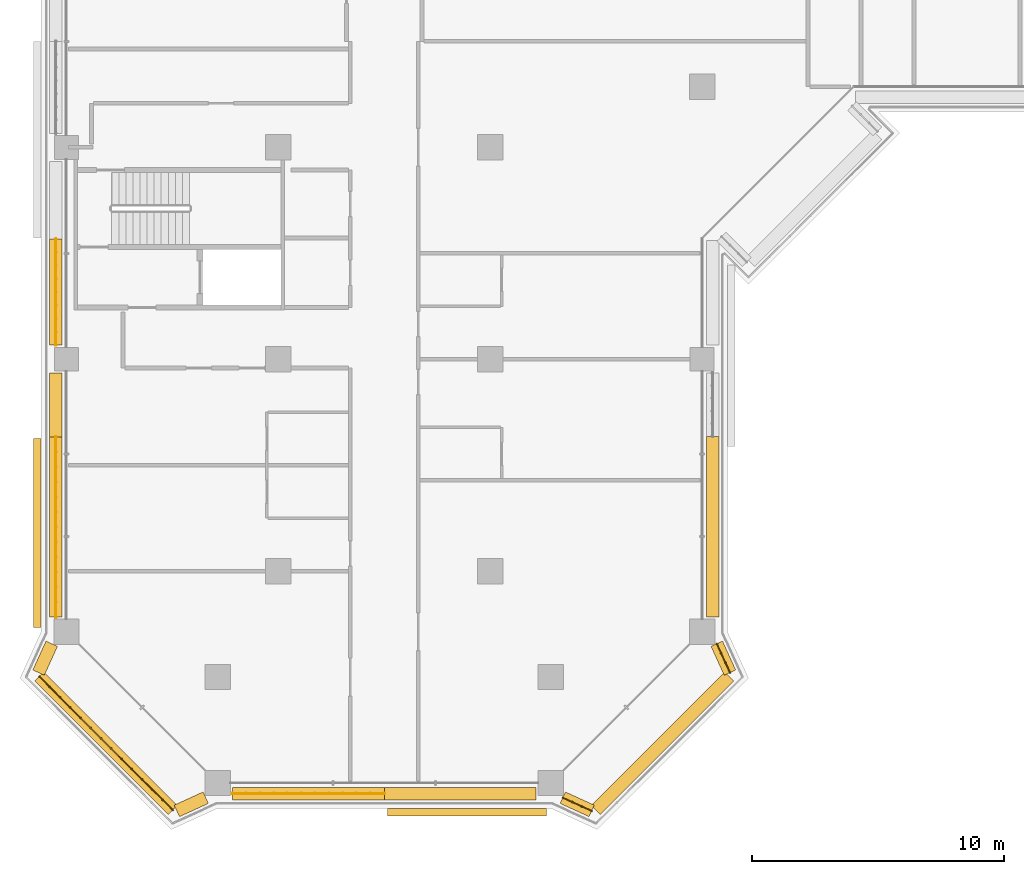
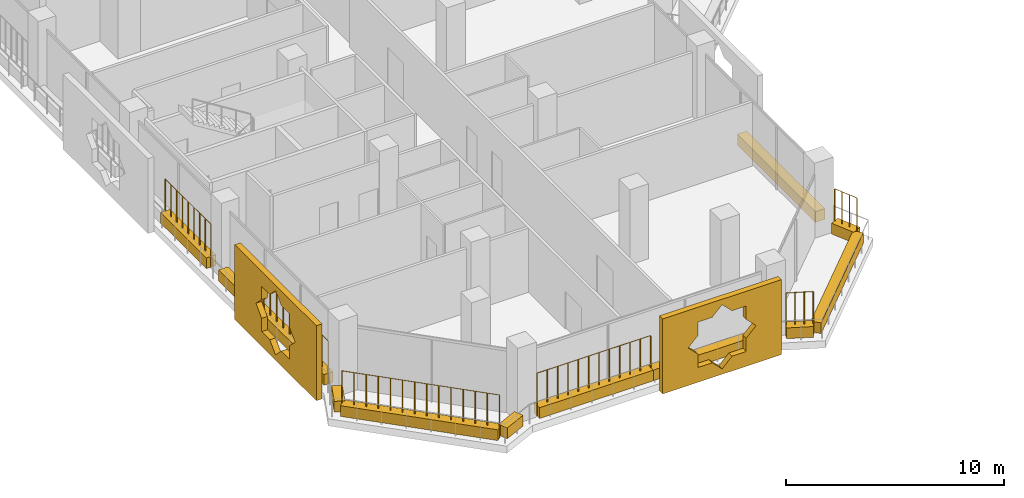
# One storey, part 17 of 24: 14 coverings, 6 railings.
"""IFC4 building model written with IfcOpenShell, lengths in metres."""

from ifc_helpers import new_model, si_unit, direction, frame, origin, origin_2d, place, context, subcontext, project, spatial, polyline, rectangle, circle, outline, extrude, material, material_profile, profile_set, type_object, element, save


model = new_model("IFC4")

# Units and contexts
model_context = context("Model", 3, precision=1e-05, world=origin(), true_north=direction((0.0, 1.0)))
body_context = subcontext(model_context, "Body", "Model", "MODEL_VIEW")
ifc_project = project(units=[si_unit("LENGTHUNIT", "METRE"), si_unit("AREAUNIT", "SQUARE_METRE"), si_unit("VOLUMEUNIT", "CUBIC_METRE"), si_unit("PLANEANGLEUNIT", "RADIAN"), si_unit("MASSUNIT", "GRAM", prefix="KILO")], contexts=[model_context])

# Site, building, storey
site_placement = place(None, origin())
site = spatial("IfcSite", under=ifc_project, at=site_placement, CompositionType="ELEMENT")
building_placement = place(site_placement, origin())
building = spatial("IfcBuilding", under=site, at=building_placement, Name="Kawkab Arch Medical Tower", CompositionType="ELEMENT")
storey_placement = place(building_placement, frame((0.0, 0.0, 162.60009765625)))
storey = spatial("IfcBuildingStorey", under=building, at=storey_placement, Name="L37", CompositionType="ELEMENT", Elevation=162.60009765625)

# Coverings
ifc_material_1 = material(Name="Bronze anodised aluminium mashrabiya panel, eight-point star pattern", Category="aluminium")
ifc_material_profile_1 = material_profile(ifc_material_1, outline(polyline([(-3.14990234375, -2.10009765625), (3.14990234375, -2.10009765625), (3.14990234375, 2.10009765625), (-3.14990234375, 2.10009765625), (-3.14990234375, -2.10009765625)]), holes=[polyline([(1.800048828125, 0.0), (1.272705078125, 0.527099609375), (1.272705078125, 1.272705078125), (0.527099609375, 1.272705078125), (0.0, 1.800048828125), (-0.527099609375, 1.272705078125), (-1.272705078125, 1.272705078125), (-1.272705078125, 0.527099609375), (-1.800048828125, 0.0), (-1.272705078125, -0.527099609375), (-1.272705078125, -1.272705078125), (-0.527099609375, -1.272705078125), (0.0, -1.800048828125), (0.527099609375, -1.272705078125), (1.272705078125, -1.272705078125), (1.272705078125, -0.527099609375), (1.800048828125, 0.0)])]), Name="Mashrabiya panel 6300x4200")
ifc_profile_set_1 = profile_set([ifc_material_profile_1], Name="Bronze anodised aluminium mashrabiya panel, eight-point star pattern")
covering_type_1 = type_object("IfcCoveringType", Name="Mashrabiya panel 6300 x 4200", PredefinedType="USERDEFINED", material=ifc_profile_set_1)
covering_1_placement = place(storey_placement, frame((15.881103515625, -59.800048828125, 1.699951171875), z_axis=(0.0, -1.0, 0.0), x_axis=(1.0, 0.0, 0.0)))
element("IfcCovering", 1, at=covering_1_placement, inside=storey, type_object=covering_type_1, Name="Mashrabiya panel L37.LOG-01-02.1", ObjectType="SCREEN", PredefinedType="USERDEFINED", context=body_context, shape_type="SweptSolid", body=[
    extrude(outline(polyline([(-3.14990234375, -2.10009765625), (3.14990234375, -2.10009765625), (3.14990234375, 2.10009765625), (-3.14990234375, 2.10009765625), (-3.14990234375, -2.10009765625)]), holes=[polyline([(1.800048828125, 0.0), (1.272705078125, 0.527099609375), (1.272705078125, 1.272705078125), (0.527099609375, 1.272705078125), (0.0, 1.800048828125), (-0.527099609375, 1.272705078125), (-1.272705078125, 1.272705078125), (-1.272705078125, 0.527099609375), (-1.800048828125, 0.0), (-1.272705078125, -0.527099609375), (-1.272705078125, -1.272705078125), (-0.527099609375, -1.272705078125), (0.0, -1.800048828125), (0.527099609375, -1.272705078125), (1.272705078125, -1.272705078125), (1.272705078125, -0.527099609375), (1.800048828125, 0.0)])]), origin(), (0.0, 0.0, 1.0), 0.300048828125),
])
ifc_material_2 = material(Name="Bronze anodised aluminium mashrabiya panel, eight-point star pattern", Category="aluminium")
ifc_material_profile_2 = material_profile(ifc_material_2, outline(polyline([(-3.75, -2.10009765625), (3.75, -2.10009765625), (3.75, 2.10009765625), (-3.75, 2.10009765625), (-3.75, -2.10009765625)]), holes=[polyline([(1.800048828125, 0.0), (1.272705078125, 0.527099609375), (1.272705078125, 1.272705078125), (0.527099609375, 1.272705078125), (0.0, 1.800048828125), (-0.527099609375, 1.272705078125), (-1.272705078125, 1.272705078125), (-1.272705078125, 0.527099609375), (-1.800048828125, 0.0), (-1.272705078125, -0.527099609375), (-1.272705078125, -1.272705078125), (-0.527099609375, -1.272705078125), (0.0, -1.800048828125), (0.527099609375, -1.272705078125), (1.272705078125, -1.272705078125), (1.272705078125, -0.527099609375), (1.800048828125, 0.0)])]), Name="Mashrabiya panel 7500x4200")
ifc_profile_set_2 = profile_set([ifc_material_profile_2], Name="Bronze anodised aluminium mashrabiya panel, eight-point star pattern")
covering_type_2 = type_object("IfcCoveringType", Name="Mashrabiya panel 7500 x 4200", PredefinedType="USERDEFINED", material=ifc_profile_set_2)
covering_2_placement = place(storey_placement, frame((-1.0, -48.8818359375, 1.699951171875), z_axis=(-1.0, 0.0, 0.0), x_axis=(0.0, -1.0, 0.0)))
element("IfcCovering", 2, at=covering_2_placement, inside=storey, type_object=covering_type_2, Name="Mashrabiya panel L37.LOG-01-02.2", ObjectType="SCREEN", PredefinedType="USERDEFINED", context=body_context, shape_type="SweptSolid", body=[
    extrude(outline(polyline([(-3.75, -2.10009765625), (3.75, -2.10009765625), (3.75, 2.10009765625), (-3.75, 2.10009765625), (-3.75, -2.10009765625)]), holes=[polyline([(1.800048828125, 0.0), (1.272705078125, 0.527099609375), (1.272705078125, 1.272705078125), (0.527099609375, 1.272705078125), (0.0, 1.800048828125), (-0.527099609375, 1.272705078125), (-1.272705078125, 1.272705078125), (-1.272705078125, 0.527099609375), (-1.800048828125, 0.0), (-1.272705078125, -0.527099609375), (-1.272705078125, -1.272705078125), (-0.527099609375, -1.272705078125), (0.0, -1.800048828125), (0.527099609375, -1.272705078125), (1.272705078125, -1.272705078125), (1.272705078125, -0.527099609375), (1.800048828125, 0.0)])]), origin(), (0.0, 0.0, 1.0), 0.300048828125),
])
ifc_material_3 = material(Name="Planting soil in a precast trough", Category="concrete")
ifc_material_profile_3 = material_profile(ifc_material_3, rectangle(XDim=0.5, YDim=0.60009765625, at=origin_2d()), Name="Trough 500x600")
ifc_profile_set_3 = profile_set([ifc_material_profile_3], Name="Planting soil in a precast trough")
covering_type_3 = type_object("IfcCoveringType", Name="Planter trough 500 x 600", PredefinedType="USERDEFINED", material=ifc_profile_set_3)
covering_3_placement = place(storey_placement, frame((20.821044921875, -59.902099609375, 0.2998046875), z_axis=(-0.909707135283, 0.415250440113, 0.0), x_axis=(-0.415250440113, -0.909707135283, 0.0)))
element("IfcCovering", 3, at=covering_3_placement, inside=storey, type_object=covering_type_3, Name="Planter L37.LOG-01-02.1", ObjectType="PLANTER", PredefinedType="USERDEFINED", context=body_context, shape_type="SweptSolid", body=[
    extrude(rectangle(XDim=0.5, YDim=0.60009765625, at=origin_2d()), origin(), (0.0, 0.0, 1.0), 1.257568359375),
])
for number, where, z_axis, x_axis, name in (
    (4, (18.6201171875, -59.219970703125, 0.2998046875), (-1.0, 0.0, 0.0), (0.0, -1.0, 0.0), "Planter L37.LOG-01-02.2"),
    (5, (12.60009765625, -59.219970703125, 0.2998046875), (-1.0, 0.0, 0.0), (0.0, -1.0, 0.0), "Planter L37.LOG-01-02.3"),
):
    element("IfcCovering", number, at=place(storey_placement, frame(where, z_axis=z_axis, x_axis=x_axis)), inside=storey, type_object=covering_type_3, Name=name, ObjectType="PLANTER", PredefinedType="USERDEFINED", context=body_context, shape_type="SweptSolid", body=[
        extrude(rectangle(XDim=0.5, YDim=0.60009765625, at=origin_2d()), origin(), (0.0, 0.0, 1.0), 6.02001953125),
    ])
covering_4_placement = place(storey_placement, frame((5.52294921875, -59.3798828125, 0.2998046875), z_axis=(-0.909707135283, -0.415250440113, 0.0), x_axis=(0.415250440113, -0.909707135283, 0.0)))
element("IfcCovering", 6, at=covering_4_placement, inside=storey, type_object=covering_type_3, Name="Planter L37.LOG-01-02.4", ObjectType="PLANTER", PredefinedType="USERDEFINED", context=body_context, shape_type="SweptSolid", body=[
    extrude(rectangle(XDim=0.5, YDim=0.60009765625, at=origin_2d()), origin(), (0.0, 0.0, 1.0), 1.257568359375),
])
covering_5_placement = place(storey_placement, frame((4.217041015625, -59.873046875, 0.2998046875), z_axis=(-0.707106781187, 0.707106781187, 0.0), x_axis=(-0.707106781187, -0.707106781187, 0.0)))
element("IfcCovering", 7, at=covering_5_placement, inside=storey, type_object=covering_type_3, Name="Planter L37.LOG-01-02.5", ObjectType="PLANTER", PredefinedType="USERDEFINED", context=body_context, shape_type="SweptSolid", body=[
    extrude(rectangle(XDim=0.5, YDim=0.60009765625, at=origin_2d()), origin(), (0.0, 0.0, 1.0), 7.481201171875),
])
covering_6_placement = place(storey_placement, frame((-1.10205078125, -54.4208984375, 0.2998046875), z_axis=(0.415163092626, 0.909747001381, 0.0), x_axis=(-0.909747001381, 0.415163092626, 0.0)))
element("IfcCovering", 8, at=covering_6_placement, inside=storey, type_object=covering_type_3, Name="Planter L37.LOG-01-02.6", ObjectType="PLANTER", PredefinedType="USERDEFINED", context=body_context, shape_type="SweptSolid", body=[
    extrude(rectangle(XDim=0.5, YDim=0.60009765625, at=origin_2d()), origin(), (0.0, 0.0, 1.0), 1.25732421875),
])
covering_7_placement = place(storey_placement, frame((-0.419921875, -52.219970703125, 0.2998046875), z_axis=(0.0, 1.0, 0.0), x_axis=(-1.0, 0.0, 0.0)))
element("IfcCovering", 9, at=covering_7_placement, inside=storey, type_object=covering_type_3, Name="Planter L37.LOG-01-02.7", ObjectType="PLANTER", PredefinedType="USERDEFINED", context=body_context, shape_type="SweptSolid", body=[
    extrude(rectangle(XDim=0.5, YDim=0.60009765625, at=origin_2d()), origin(), (0.0, 0.0, 1.0), 7.135986328125),
])
covering_8_placement = place(storey_placement, frame((-0.419921875, -45.083984375, 0.2998046875), z_axis=(0.0, 1.0, 0.0), x_axis=(-1.0, 0.0, 0.0)))
element("IfcCovering", 10, at=covering_8_placement, inside=storey, type_object=covering_type_3, Name="Planter L37.LOG-01-02.8", ObjectType="PLANTER", PredefinedType="USERDEFINED", context=body_context, shape_type="SweptSolid", body=[
    extrude(rectangle(XDim=0.5, YDim=0.60009765625, at=origin_2d()), origin(), (0.0, 0.0, 1.0), 2.529052734375),
])
covering_9_placement = place(storey_placement, frame((-0.419921875, -41.445068359375, 0.2998046875), z_axis=(0.0, 1.0, 0.0), x_axis=(-1.0, 0.0, 0.0)))
element("IfcCovering", 11, at=covering_9_placement, inside=storey, type_object=covering_type_3, Name="Planter L37.LOG-01-02.9", ObjectType="PLANTER", PredefinedType="USERDEFINED", context=body_context, shape_type="SweptSolid", body=[
    extrude(rectangle(XDim=0.5, YDim=0.60009765625, at=origin_2d()), origin(), (0.0, 0.0, 1.0), 4.203125),
])
covering_10_placement = place(storey_placement, frame((25.6201171875, -45.054931640625, 0.2998046875), z_axis=(0.0, -1.0, 0.0), x_axis=(1.0, 0.0, 0.0)))
element("IfcCovering", 12, at=covering_10_placement, inside=storey, type_object=covering_type_3, Name="Planter L37.LOG-01-02.44", ObjectType="PLANTER", PredefinedType="USERDEFINED", context=body_context, shape_type="SweptSolid", body=[
    extrude(rectangle(XDim=0.5, YDim=0.60009765625, at=origin_2d()), origin(), (0.0, 0.0, 1.0), 7.1650390625),
])
covering_11_placement = place(storey_placement, frame((25.780029296875, -53.277099609375, 0.2998046875), z_axis=(0.415163092626, -0.909747001381, 0.0), x_axis=(0.909747001381, 0.415163092626, 0.0)))
element("IfcCovering", 13, at=covering_11_placement, inside=storey, type_object=covering_type_3, Name="Planter L37.LOG-01-02.45", ObjectType="PLANTER", PredefinedType="USERDEFINED", context=body_context, shape_type="SweptSolid", body=[
    extrude(rectangle(XDim=0.5, YDim=0.60009765625, at=origin_2d()), origin(), (0.0, 0.0, 1.0), 1.25732421875),
])
covering_12_placement = place(storey_placement, frame((26.27294921875, -54.5830078125, 0.2998046875), z_axis=(-0.707106781187, -0.707106781187, 0.0), x_axis=(0.707106781187, -0.707106781187, 0.0)))
element("IfcCovering", 14, at=covering_12_placement, inside=storey, type_object=covering_type_3, Name="Planter L37.LOG-01-02.46", ObjectType="PLANTER", PredefinedType="USERDEFINED", context=body_context, shape_type="SweptSolid", body=[
    extrude(rectangle(XDim=0.5, YDim=0.60009765625, at=origin_2d()), origin(), (0.0, 0.0, 1.0), 7.481201171875),
])

# Railings
ifc_material_4 = material(Name="Bronze anodised aluminium trellis for climbing plants", Category="aluminium")
railing_type = type_object("IfcRailingType", Name="Planting trellis 2400", PredefinedType="USERDEFINED", material=ifc_material_4)
railing_1_placement = place(storey_placement, frame((20.821044921875, -59.902099609375, 0.0)))
element("IfcRailing", 15, at=railing_1_placement, inside=storey, type_object=railing_type, Name="Planting trellis L37.LOG-01-02.1", ObjectType="TRELLIS", PredefinedType="USERDEFINED", context=body_context, shape_type="SweptSolid", body=[
    extrude(circle(Radius=0.01513671875, at=origin_2d()), frame((0.0, 0.0, 2.384765625), z_axis=(-0.909707135283, 0.415250440113, 0.0), x_axis=(-0.415250440113, -0.909707135283, 0.0)), (0.0, 0.0, 1.0), 1.257568359375),
    extrude(circle(Radius=0.030029296875, at=origin_2d()), origin(), (0.0, 0.0, 1.0), 2.369873046875),
    extrude(circle(Radius=0.030029296875, at=origin_2d()), frame((-0.38134765625, 0.174072265625, 0.0)), (0.0, 0.0, 1.0), 2.369873046875),
    extrude(circle(Radius=0.030029296875, at=origin_2d()), frame((-0.7626953125, 0.34814453125, 0.0)), (0.0, 0.0, 1.0), 2.369873046875),
    extrude(circle(Radius=0.030029296875, at=origin_2d()), frame((-1.14404296875, 0.522216796875, 0.0)), (0.0, 0.0, 1.0), 2.369873046875),
])
railing_2_placement = place(storey_placement, frame((12.60009765625, -59.219970703125, 0.0)))
element("IfcRailing", 16, at=railing_2_placement, inside=storey, type_object=railing_type, Name="Planting trellis L37.LOG-01-02.3", ObjectType="TRELLIS", PredefinedType="USERDEFINED", context=body_context, shape_type="SweptSolid", body=[
    extrude(circle(Radius=0.01513671875, at=origin_2d()), frame((0.0, 0.0, 2.384765625), z_axis=(-1.0, 0.0, 0.0), x_axis=(0.0, -1.0, 0.0)), (0.0, 0.0, 1.0), 6.02001953125),
    extrude(circle(Radius=0.030029296875, at=origin_2d()), origin(), (0.0, 0.0, 1.0), 2.369873046875),
    extrude(circle(Radius=0.030029296875, at=origin_2d()), frame((-0.54736328125, 0.0, 0.0)), (0.0, 0.0, 1.0), 2.369873046875),
    extrude(circle(Radius=0.030029296875, at=origin_2d()), frame((-1.094482421875, 0.0, 0.0)), (0.0, 0.0, 1.0), 2.369873046875),
    extrude(circle(Radius=0.030029296875, at=origin_2d()), frame((-1.641845703125, 0.0, 0.0)), (0.0, 0.0, 1.0), 2.369873046875),
    extrude(circle(Radius=0.030029296875, at=origin_2d()), frame((-2.189208984375, 0.0, 0.0)), (0.0, 0.0, 1.0), 2.369873046875),
    extrude(circle(Radius=0.030029296875, at=origin_2d()), frame((-2.736328125, 0.0, 0.0)), (0.0, 0.0, 1.0), 2.369873046875),
    extrude(circle(Radius=0.030029296875, at=origin_2d()), frame((-3.28369140625, 0.0, 0.0)), (0.0, 0.0, 1.0), 2.369873046875),
    extrude(circle(Radius=0.030029296875, at=origin_2d()), frame((-3.830810546875, 0.0, 0.0)), (0.0, 0.0, 1.0), 2.369873046875),
    extrude(circle(Radius=0.030029296875, at=origin_2d()), frame((-4.378173828125, 0.0, 0.0)), (0.0, 0.0, 1.0), 2.369873046875),
    extrude(circle(Radius=0.030029296875, at=origin_2d()), frame((-4.925537109375, 0.0, 0.0)), (0.0, 0.0, 1.0), 2.369873046875),
    extrude(circle(Radius=0.030029296875, at=origin_2d()), frame((-5.47265625, 0.0, 0.0)), (0.0, 0.0, 1.0), 2.369873046875),
    extrude(circle(Radius=0.030029296875, at=origin_2d()), frame((-6.02001953125, 0.0, 0.0)), (0.0, 0.0, 1.0), 2.369873046875),
])
railing_3_placement = place(storey_placement, frame((4.217041015625, -59.873046875, 0.0)))
element("IfcRailing", 17, at=railing_3_placement, inside=storey, type_object=railing_type, Name="Planting trellis L37.LOG-01-02.5", ObjectType="TRELLIS", PredefinedType="USERDEFINED", context=body_context, shape_type="SweptSolid", body=[
    extrude(circle(Radius=0.01513671875, at=origin_2d()), frame((0.0, 0.0, 2.384765625), z_axis=(-0.707106781187, 0.707106781187, 0.0), x_axis=(-0.707106781187, -0.707106781187, 0.0)), (0.0, 0.0, 1.0), 7.481201171875),
    extrude(circle(Radius=0.030029296875, at=origin_2d()), origin(), (0.0, 0.0, 1.0), 2.369873046875),
    extrude(circle(Radius=0.030029296875, at=origin_2d()), frame((-0.406982421875, 0.406982421875, 0.0)), (0.0, 0.0, 1.0), 2.369873046875),
    extrude(circle(Radius=0.030029296875, at=origin_2d()), frame((-0.81396484375, 0.81396484375, 0.0)), (0.0, 0.0, 1.0), 2.369873046875),
    extrude(circle(Radius=0.030029296875, at=origin_2d()), frame((-1.220703125, 1.220703125, 0.0)), (0.0, 0.0, 1.0), 2.369873046875),
    extrude(circle(Radius=0.030029296875, at=origin_2d()), frame((-1.627685546875, 1.627685546875, 0.0)), (0.0, 0.0, 1.0), 2.369873046875),
    extrude(circle(Radius=0.030029296875, at=origin_2d()), frame((-2.03466796875, 2.03466796875, 0.0)), (0.0, 0.0, 1.0), 2.369873046875),
    extrude(circle(Radius=0.030029296875, at=origin_2d()), frame((-2.441650390625, 2.441650390625, 0.0)), (0.0, 0.0, 1.0), 2.369873046875),
    extrude(circle(Radius=0.030029296875, at=origin_2d()), frame((-2.848388671875, 2.848388671875, 0.0)), (0.0, 0.0, 1.0), 2.369873046875),
    extrude(circle(Radius=0.030029296875, at=origin_2d()), frame((-3.25537109375, 3.25537109375, 0.0)), (0.0, 0.0, 1.0), 2.369873046875),
    extrude(circle(Radius=0.030029296875, at=origin_2d()), frame((-3.662353515625, 3.662353515625, 0.0)), (0.0, 0.0, 1.0), 2.369873046875),
    extrude(circle(Radius=0.030029296875, at=origin_2d()), frame((-4.0693359375, 4.0693359375, 0.0)), (0.0, 0.0, 1.0), 2.369873046875),
    extrude(circle(Radius=0.030029296875, at=origin_2d()), frame((-4.47607421875, 4.47607421875, 0.0)), (0.0, 0.0, 1.0), 2.369873046875),
    extrude(circle(Radius=0.030029296875, at=origin_2d()), frame((-4.883056640625, 4.883056640625, 0.0)), (0.0, 0.0, 1.0), 2.369873046875),
    extrude(circle(Radius=0.030029296875, at=origin_2d()), frame((-5.2900390625, 5.2900390625, 0.0)), (0.0, 0.0, 1.0), 2.369873046875),
])
railing_4_placement = place(storey_placement, frame((-0.419921875, -52.219970703125, 0.0)))
element("IfcRailing", 18, at=railing_4_placement, inside=storey, type_object=railing_type, Name="Planting trellis L37.LOG-01-02.7", ObjectType="TRELLIS", PredefinedType="USERDEFINED", context=body_context, shape_type="SweptSolid", body=[
    extrude(circle(Radius=0.01513671875, at=origin_2d()), frame((0.0, 0.0, 2.384765625), z_axis=(0.0, 1.0, 0.0), x_axis=(-1.0, 0.0, 0.0)), (0.0, 0.0, 1.0), 7.135986328125),
    extrude(circle(Radius=0.030029296875, at=origin_2d()), origin(), (0.0, 0.0, 1.0), 2.369873046875),
    extrude(circle(Radius=0.030029296875, at=origin_2d()), frame((0.0, 0.5947265625, 0.0)), (0.0, 0.0, 1.0), 2.369873046875),
    extrude(circle(Radius=0.030029296875, at=origin_2d()), frame((0.0, 1.189453125, 0.0)), (0.0, 0.0, 1.0), 2.369873046875),
    extrude(circle(Radius=0.030029296875, at=origin_2d()), frame((0.0, 1.783935546875, 0.0)), (0.0, 0.0, 1.0), 2.369873046875),
    extrude(circle(Radius=0.030029296875, at=origin_2d()), frame((0.0, 2.378662109375, 0.0)), (0.0, 0.0, 1.0), 2.369873046875),
    extrude(circle(Radius=0.030029296875, at=origin_2d()), frame((0.0, 2.973388671875, 0.0)), (0.0, 0.0, 1.0), 2.369873046875),
    extrude(circle(Radius=0.030029296875, at=origin_2d()), frame((0.0, 3.56787109375, 0.0)), (0.0, 0.0, 1.0), 2.369873046875),
    extrude(circle(Radius=0.030029296875, at=origin_2d()), frame((0.0, 4.16259765625, 0.0)), (0.0, 0.0, 1.0), 2.369873046875),
    extrude(circle(Radius=0.030029296875, at=origin_2d()), frame((0.0, 4.75732421875, 0.0)), (0.0, 0.0, 1.0), 2.369873046875),
    extrude(circle(Radius=0.030029296875, at=origin_2d()), frame((0.0, 5.35205078125, 0.0)), (0.0, 0.0, 1.0), 2.369873046875),
    extrude(circle(Radius=0.030029296875, at=origin_2d()), frame((0.0, 5.94677734375, 0.0)), (0.0, 0.0, 1.0), 2.369873046875),
    extrude(circle(Radius=0.030029296875, at=origin_2d()), frame((0.0, 6.541259765625, 0.0)), (0.0, 0.0, 1.0), 2.369873046875),
    extrude(circle(Radius=0.030029296875, at=origin_2d()), frame((0.0, 7.135986328125, 0.0)), (0.0, 0.0, 1.0), 2.369873046875),
])
railing_5_placement = place(storey_placement, frame((-0.419921875, -41.445068359375, 0.0)))
element("IfcRailing", 19, at=railing_5_placement, inside=storey, type_object=railing_type, Name="Planting trellis L37.LOG-01-02.9", ObjectType="TRELLIS", PredefinedType="USERDEFINED", context=body_context, shape_type="SweptSolid", body=[
    extrude(circle(Radius=0.01513671875, at=origin_2d()), frame((0.0, 0.0, 2.384765625), z_axis=(0.0, 1.0, 0.0), x_axis=(-1.0, 0.0, 0.0)), (0.0, 0.0, 1.0), 4.203125),
    extrude(circle(Radius=0.030029296875, at=origin_2d()), origin(), (0.0, 0.0, 1.0), 2.369873046875),
    extrude(circle(Radius=0.030029296875, at=origin_2d()), frame((0.0, 0.525390625, 0.0)), (0.0, 0.0, 1.0), 2.369873046875),
    extrude(circle(Radius=0.030029296875, at=origin_2d()), frame((0.0, 1.05078125, 0.0)), (0.0, 0.0, 1.0), 2.369873046875),
    extrude(circle(Radius=0.030029296875, at=origin_2d()), frame((0.0, 1.576171875, 0.0)), (0.0, 0.0, 1.0), 2.369873046875),
    extrude(circle(Radius=0.030029296875, at=origin_2d()), frame((0.0, 2.1015625, 0.0)), (0.0, 0.0, 1.0), 2.369873046875),
    extrude(circle(Radius=0.030029296875, at=origin_2d()), frame((0.0, 2.626953125, 0.0)), (0.0, 0.0, 1.0), 2.369873046875),
    extrude(circle(Radius=0.030029296875, at=origin_2d()), frame((0.0, 3.15234375, 0.0)), (0.0, 0.0, 1.0), 2.369873046875),
    extrude(circle(Radius=0.030029296875, at=origin_2d()), frame((0.0, 3.677734375, 0.0)), (0.0, 0.0, 1.0), 2.369873046875),
    extrude(circle(Radius=0.030029296875, at=origin_2d()), frame((0.0, 4.203125, 0.0)), (0.0, 0.0, 1.0), 2.369873046875),
])
railing_6_placement = place(storey_placement, frame((25.780029296875, -53.277099609375, 0.0)))
element("IfcRailing", 20, at=railing_6_placement, inside=storey, type_object=railing_type, Name="Planting trellis L37.LOG-01-02.45", ObjectType="TRELLIS", PredefinedType="USERDEFINED", context=body_context, shape_type="SweptSolid", body=[
    extrude(circle(Radius=0.01513671875, at=origin_2d()), frame((0.0, 0.0, 2.384765625), z_axis=(0.415163092626, -0.909747001381, 0.0), x_axis=(0.909747001381, 0.415163092626, 0.0)), (0.0, 0.0, 1.0), 1.25732421875),
    extrude(circle(Radius=0.030029296875, at=origin_2d()), origin(), (0.0, 0.0, 1.0), 2.369873046875),
    extrude(circle(Radius=0.030029296875, at=origin_2d()), frame((0.174072265625, -0.38134765625, 0.0)), (0.0, 0.0, 1.0), 2.369873046875),
    extrude(circle(Radius=0.030029296875, at=origin_2d()), frame((0.347900390625, -0.762451171875, 0.0)), (0.0, 0.0, 1.0), 2.369873046875),
    extrude(circle(Radius=0.030029296875, at=origin_2d()), frame((0.52197265625, -1.143798828125, 0.0)), (0.0, 0.0, 1.0), 2.369873046875),
])

save(model, "model.ifc")
